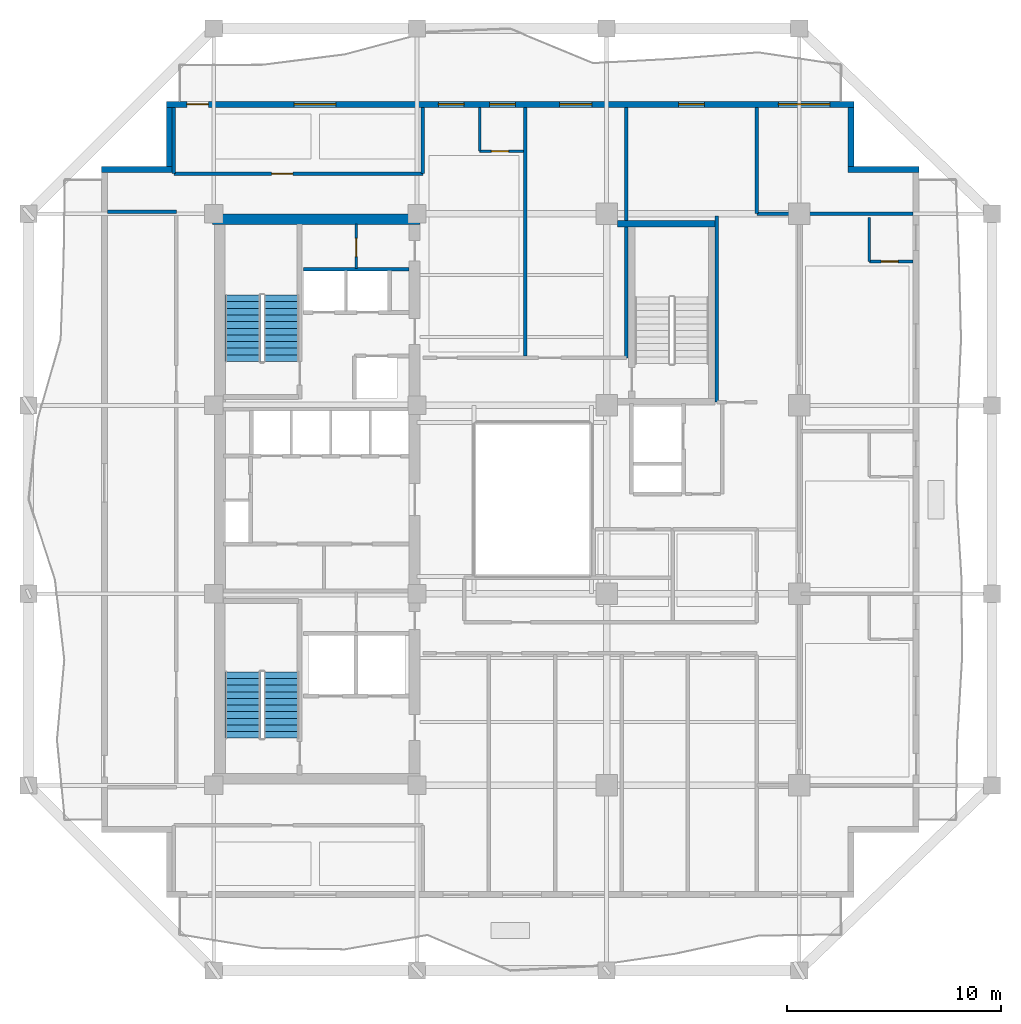
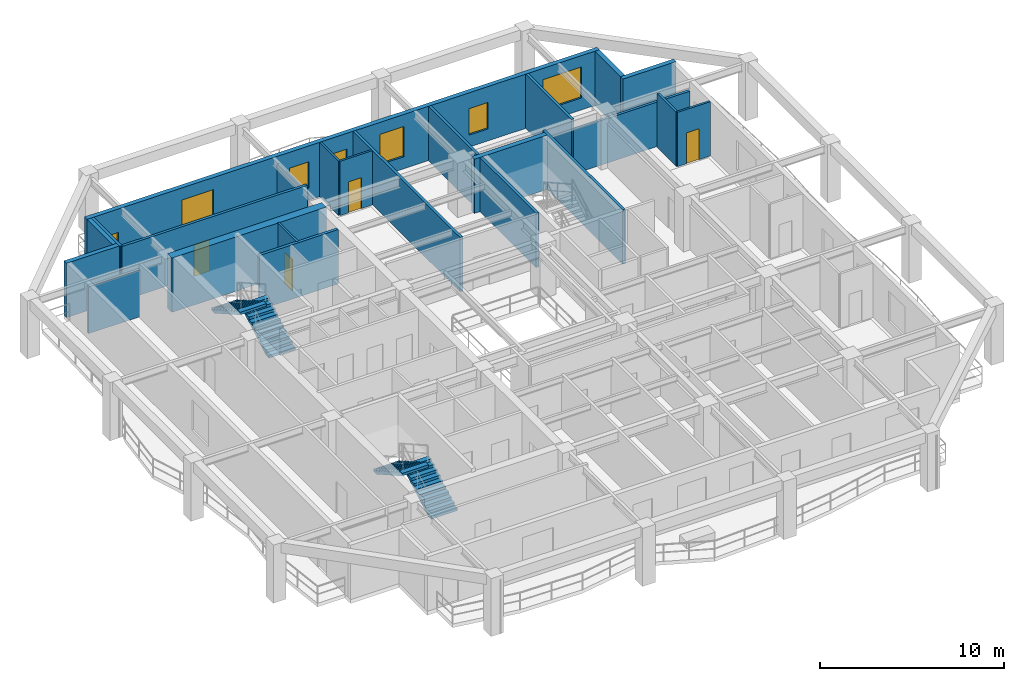
# One storey, part 6 of 11: 22 walls, 6 windows, 5 doors, 4 stair flights, 11 openings, 2 elements without a shape of their own.
"""IFC4 building model written with IfcOpenShell, lengths in metres."""

from ifc_helpers import new_model, si_unit, direction, frame, frame_2d, origin, place, context, subcontext, project, spatial, polyline, rectangle, outline, extrude, material, layer, layer_set, type_object, element, fill, aggregate, save


model = new_model("IFC4")

# Units and contexts
model_context = context("Model", 3, precision=1e-05, world=origin(), true_north=direction((0.0, 1.0)))
body_context = subcontext(model_context, "Body", "Model", "MODEL_VIEW")
ifc_project = project(units=[si_unit("LENGTHUNIT", "METRE"), si_unit("AREAUNIT", "SQUARE_METRE"), si_unit("VOLUMEUNIT", "CUBIC_METRE"), si_unit("PLANEANGLEUNIT", "RADIAN"), si_unit("MASSUNIT", "GRAM", prefix="KILO")], contexts=[model_context])

# Site, building, storey
site_placement = place(None, origin())
site = spatial("IfcSite", under=ifc_project, at=site_placement, CompositionType="ELEMENT")
building_placement = place(site_placement, origin())
building = spatial("IfcBuilding", under=site, at=building_placement, Name="Kundavana Baori Tower", CompositionType="ELEMENT")
storey_placement = place(building_placement, frame((0.0, 0.0, 142.5)))
storey = spatial("IfcBuildingStorey", under=building, at=storey_placement, Name="L34", CompositionType="ELEMENT", Elevation=142.5)

# Walls
ifc_material_1 = material(Name="Concrete C50/60", Category="concrete")
ifc_layer_1 = layer(ifc_material_1, 0.5, Name="WL-CORE-500")
ifc_layer_set_1 = layer_set([ifc_layer_1], Name="Concrete C50/60")
wall_type_1 = type_object("IfcWallType", Name="WL-CORE-500", PredefinedType="SHEAR", material=ifc_layer_set_1)
wall_1_placement = place(storey_placement, frame((15.39990234375, 41.68994140625, 0.0), z_axis=(0.0, 0.0, 1.0), x_axis=(1.0, 0.0, 0.0)))
element("IfcWall", 1, at=wall_1_placement, inside=storey, type_object=wall_type_1, Name="L34 Offset Core North Shear Wall", PredefinedType="SHEAR", context=body_context, shape_type="SweptSolid", body=[
    extrude(rectangle(XDim=9.68017578125, YDim=0.5, at=frame_2d((4.840087890625, 0.0))), origin(), (0.0, 0.0, 1.0), 3.60009765625),
])
ifc_material_2 = material(Name="Red-Buff Dholpur Sandstone Cladding on Concrete C40/50", Category="masonry")
ifc_layer_2 = layer(ifc_material_2, 0.280029296875, Name="WL-EXT-SAND-280")
ifc_layer_set_2 = layer_set([ifc_layer_2], Name="Red-Buff Dholpur Sandstone Cladding on Concrete C40/50")
wall_type_2 = type_object("IfcWallType", Name="WL-EXT-SAND-280", PredefinedType="STANDARD", material=ifc_layer_set_2)
wall_2_placement = place(storey_placement, frame((48.39990234375, 44.010009765625, 0.0), z_axis=(0.0, 0.0, 1.0), x_axis=(-1.0, 0.0, 0.0)))
element("IfcWall", 2, at=wall_2_placement, inside=storey, type_object=wall_type_2, Name="L34 Exterior Insulated Facade Wall 05", PredefinedType="STANDARD", context=body_context, shape_type="SweptSolid", body=[
    extrude(rectangle(XDim=3.329833984375, YDim=0.280029296875, at=frame_2d((1.6650390625, 0.0))), origin(), (0.0, 0.0, 1.0), 3.60009765625),
])
wall_3_placement = place(storey_placement, frame((45.2099609375, 44.14990234375, 0.0), z_axis=(0.0, 0.0, 1.0), x_axis=(0.0, 1.0, 0.0)))
element("IfcWall", 3, at=wall_3_placement, inside=storey, type_object=wall_type_2, Name="L34 Exterior Insulated Facade Wall 06", PredefinedType="STANDARD", context=body_context, shape_type="SweptSolid", body=[
    extrude(rectangle(XDim=2.77001953125, YDim=0.280029296875, at=frame_2d((1.385009765625, 0.0))), origin(), (0.0, 0.0, 1.0), 3.60009765625),
])

# Wall, openings, door, windows
wall_4_placement = place(storey_placement, frame((45.35009765625, 47.06005859375, 0.0), z_axis=(0.0, 0.0, 1.0), x_axis=(-1.0, 0.0, 0.0)))
wall_4 = element("IfcWall", 4, at=wall_4_placement, inside=storey, type_object=wall_type_2, Name="L34 Exterior Insulated Facade Wall 07", PredefinedType="STANDARD", context=body_context, shape_type="SweptSolid", body=[
    extrude(rectangle(XDim=32.10009765625, YDim=0.280029296875, at=frame_2d((16.050048828125, 0.0))), origin(), (0.0, 0.0, 1.0), 3.60009765625),
])
opening_1_placement = place(wall_4_placement, frame((30.14990234375, 0.0, 0.0)))
opening_1 = element("IfcOpeningElement", 5, at=opening_1_placement, cuts=wall_4, Name="Opening BD-1", PredefinedType="OPENING", context=body_context, shape_type="SweptSolid", body=[
    extrude(rectangle(XDim=1.0, YDim=2.050048828125, at=frame_2d((0.5, 1.02490234375))), frame((0.0, 0.14990234375, 0.0), z_axis=(0.0, -1.0, 0.0), x_axis=(1.0, 0.0, 0.0)), (0.0, 0.0, 1.0), 0.300048828125),
])
opening_2_placement = place(wall_4_placement, frame((24.195068359375, 0.0, 0.800048828125)))
opening_2 = element("IfcOpeningElement", 6, at=opening_2_placement, cuts=wall_4, Name="Opening W-09", PredefinedType="OPENING", context=body_context, shape_type="SweptSolid", body=[
    extrude(rectangle(XDim=1.949951171875, YDim=2.0, at=frame_2d((0.97509765625, 1.0))), frame((0.0, 0.14990234375, 0.0), z_axis=(0.0, -1.0, 0.0), x_axis=(1.0, 0.0, 0.0)), (0.0, 0.0, 1.0), 0.300048828125),
])
opening_3_placement = place(wall_4_placement, frame((18.205078125, 0.0, 0.800048828125)))
opening_3 = element("IfcOpeningElement", 7, at=opening_3_placement, cuts=wall_4, Name="Opening W-03", PredefinedType="OPENING", context=body_context, shape_type="SweptSolid", body=[
    extrude(rectangle(XDim=1.199951171875, YDim=1.75, at=frame_2d((0.60009765625, 0.875))), frame((0.0, 0.14990234375, 0.0), z_axis=(0.0, -1.0, 0.0), x_axis=(1.0, 0.0, 0.0)), (0.0, 0.0, 1.0), 0.300048828125),
])
opening_4_placement = place(wall_4_placement, frame((15.81494140625, 0.0, 0.800048828125)))
opening_4 = element("IfcOpeningElement", 8, at=opening_4_placement, cuts=wall_4, Name="Opening W-03", PredefinedType="OPENING", context=body_context, shape_type="SweptSolid", body=[
    extrude(rectangle(XDim=1.199951171875, YDim=1.75, at=frame_2d((0.60009765625, 0.875))), frame((0.0, 0.14990234375, 0.0), z_axis=(0.0, -1.0, 0.0), x_axis=(1.0, 0.0, 0.0)), (0.0, 0.0, 1.0), 0.300048828125),
])
opening_5_placement = place(wall_4_placement, frame((12.239990234375, 0.0, 0.800048828125)))
opening_5 = element("IfcOpeningElement", 9, at=opening_5_placement, cuts=wall_4, Name="Opening W-02", PredefinedType="OPENING", context=body_context, shape_type="SweptSolid", body=[
    extrude(rectangle(XDim=1.5, YDim=2.0, at=frame_2d((0.75, 1.0))), frame((0.0, 0.14990234375, 0.0), z_axis=(0.0, -1.0, 0.0), x_axis=(1.0, 0.0, 0.0)), (0.0, 0.0, 1.0), 0.300048828125),
])
opening_6_placement = place(wall_4_placement, frame((6.97998046875, 0.0, 0.800048828125)))
opening_6 = element("IfcOpeningElement", 10, at=opening_6_placement, cuts=wall_4, Name="Opening W-03", PredefinedType="OPENING", context=body_context, shape_type="SweptSolid", body=[
    extrude(rectangle(XDim=1.199951171875, YDim=1.75, at=frame_2d((0.60009765625, 0.875))), frame((0.0, 0.14990234375, 0.0), z_axis=(0.0, -1.0, 0.0), x_axis=(1.0, 0.0, 0.0)), (0.0, 0.0, 1.0), 0.300048828125),
])
opening_7_placement = place(wall_4_placement, frame((1.1201171875, 0.0, 0.800048828125)))
opening_7 = element("IfcOpeningElement", 11, at=opening_7_placement, cuts=wall_4, Name="Opening W-04", PredefinedType="OPENING", context=body_context, shape_type="SweptSolid", body=[
    extrude(rectangle(XDim=2.39990234375, YDim=2.050048828125, at=frame_2d((1.199951171875, 1.02490234375))), frame((0.0, 0.14990234375, 0.0), z_axis=(0.0, -1.0, 0.0), x_axis=(1.0, 0.0, 0.0)), (0.0, 0.0, 1.0), 0.300048828125),
])
ifc_material_3 = material(Name="Architectural Patinated Bronze Metalwork")
door_type_1 = type_object("IfcDoorType", Name="DR-EXT-LOG-1000", OperationType="NOTDEFINED", PredefinedType="DOOR", material=ifc_material_3)
door_1_placement = place(opening_1_placement, frame((1.0, 0.0, 0.0), z_axis=(0.0, 0.0, 1.0), x_axis=(-1.0, 0.0, 0.0)))
door_1 = element("IfcDoor", 12, at=door_1_placement, inside=storey, type_object=door_type_1, Name="L34 Loggia Balcony Access Door N", OperationType="SINGLE_SWING_LEFT", OverallHeight=2.050048828125, OverallWidth=1.0, PredefinedType="DOOR", context=body_context, shape_type="SweptSolid", body=[
    extrude(rectangle(XDim=1.0, YDim=2.050048828125, at=frame_2d((0.5, 1.02490234375))), frame((0.0, 0.02490234375, 0.0), z_axis=(0.0, -1.0, 0.0), x_axis=(1.0, 0.0, 0.0)), (0.0, 0.0, 1.0), 0.050048828125),
])
fill(opening_1, door_1)
ifc_material_4 = material(Name="Double-Glazed Solar-Control Low-E Insulated Glass", Category="glass")
window_type_1 = type_object("IfcWindowType", Name="WIN-LOG-1200x1750", PartitioningType="SINGLE_PANEL", PredefinedType="WINDOW", material=ifc_material_4)
window_1_placement = place(opening_3_placement, origin())
window_1 = element("IfcWindow", 13, at=window_1_placement, inside=storey, type_object=window_type_1, Name="L34 Recessed Loggia Window N-2", OverallHeight=1.75, OverallWidth=1.199951171875, PartitioningType="SINGLE_PANEL", PredefinedType="WINDOW", context=body_context, shape_type="SweptSolid", body=[
    extrude(rectangle(XDim=1.199951171875, YDim=1.75, at=frame_2d((0.60009765625, 0.875))), frame((0.0, 0.030029296875, 0.0), z_axis=(0.0, -1.0, 0.0), x_axis=(1.0, 0.0, 0.0)), (0.0, 0.0, 1.0), 0.06005859375),
])
fill(opening_3, window_1)
window_2_placement = place(opening_4_placement, origin())
window_2 = element("IfcWindow", 14, at=window_2_placement, inside=storey, type_object=window_type_1, Name="L34 Recessed Loggia Window N-3", OverallHeight=1.75, OverallWidth=1.199951171875, PartitioningType="SINGLE_PANEL", PredefinedType="WINDOW", context=body_context, shape_type="SweptSolid", body=[
    extrude(rectangle(XDim=1.199951171875, YDim=1.75, at=frame_2d((0.60009765625, 0.875))), frame((0.0, 0.030029296875, 0.0), z_axis=(0.0, -1.0, 0.0), x_axis=(1.0, 0.0, 0.0)), (0.0, 0.0, 1.0), 0.06005859375),
])
fill(opening_4, window_2)
window_3_placement = place(opening_6_placement, origin())
window_3 = element("IfcWindow", 15, at=window_3_placement, inside=storey, type_object=window_type_1, Name="L34 Recessed Loggia Window N-5", OverallHeight=1.75, OverallWidth=1.199951171875, PartitioningType="SINGLE_PANEL", PredefinedType="WINDOW", context=body_context, shape_type="SweptSolid", body=[
    extrude(rectangle(XDim=1.199951171875, YDim=1.75, at=frame_2d((0.60009765625, 0.875))), frame((0.0, 0.030029296875, 0.0), z_axis=(0.0, -1.0, 0.0), x_axis=(1.0, 0.0, 0.0)), (0.0, 0.0, 1.0), 0.06005859375),
])
fill(opening_6, window_3)
ifc_material_5 = material(Name="Double-Glazed Solar-Control Low-E Insulated Glass", Category="glass")
window_type_2 = type_object("IfcWindowType", Name="WIN-LOG-1500x2000", PartitioningType="SINGLE_PANEL", PredefinedType="WINDOW", material=ifc_material_5)
window_4_placement = place(opening_5_placement, origin())
window_4 = element("IfcWindow", 16, at=window_4_placement, inside=storey, type_object=window_type_2, Name="L34 Recessed Loggia Window N-4", OverallHeight=2.0, OverallWidth=1.5, PartitioningType="SINGLE_PANEL", PredefinedType="WINDOW", context=body_context, shape_type="SweptSolid", body=[
    extrude(rectangle(XDim=1.5, YDim=2.0, at=frame_2d((0.75, 1.0))), frame((0.0, 0.030029296875, 0.0), z_axis=(0.0, -1.0, 0.0), x_axis=(1.0, 0.0, 0.0)), (0.0, 0.0, 1.0), 0.06005859375),
])
fill(opening_5, window_4)
ifc_material_6 = material(Name="Double-Glazed Solar-Control Low-E Insulated Glass", Category="glass")
window_type_3 = type_object("IfcWindowType", Name="WIN-LOG-1950x2000", PartitioningType="SINGLE_PANEL", PredefinedType="WINDOW", material=ifc_material_6)
window_5_placement = place(opening_2_placement, origin())
window_5 = element("IfcWindow", 17, at=window_5_placement, inside=storey, type_object=window_type_3, Name="L34 Recessed Loggia Window N-1", OverallHeight=2.0, OverallWidth=1.949951171875, PartitioningType="SINGLE_PANEL", PredefinedType="WINDOW", context=body_context, shape_type="SweptSolid", body=[
    extrude(rectangle(XDim=1.949951171875, YDim=2.0, at=frame_2d((0.97509765625, 1.0))), frame((0.0, 0.030029296875, 0.0), z_axis=(0.0, -1.0, 0.0), x_axis=(1.0, 0.0, 0.0)), (0.0, 0.0, 1.0), 0.06005859375),
])
fill(opening_2, window_5)
ifc_material_7 = material(Name="Double-Glazed Solar-Control Low-E Insulated Glass", Category="glass")
window_type_4 = type_object("IfcWindowType", Name="WIN-LOG-2400x2050", PartitioningType="SINGLE_PANEL", PredefinedType="WINDOW", material=ifc_material_7)
window_6_placement = place(opening_7_placement, origin())
window_6 = element("IfcWindow", 18, at=window_6_placement, inside=storey, type_object=window_type_4, Name="L34 Recessed Loggia Window N-6", OverallHeight=2.050048828125, OverallWidth=2.39990234375, PartitioningType="SINGLE_PANEL", PredefinedType="WINDOW", context=body_context, shape_type="SweptSolid", body=[
    extrude(rectangle(XDim=2.39990234375, YDim=2.050048828125, at=frame_2d((1.199951171875, 1.02490234375))), frame((0.0, 0.030029296875, 0.0), z_axis=(0.0, -1.0, 0.0), x_axis=(1.0, 0.0, 0.0)), (0.0, 0.0, 1.0), 0.06005859375),
])
fill(opening_7, window_6)

# Walls
wall_5_placement = place(storey_placement, frame((13.389892578125, 46.919921875, 0.0), z_axis=(0.0, 0.0, 1.0), x_axis=(0.0, -1.0, 0.0)))
element("IfcWall", 19, at=wall_5_placement, inside=storey, type_object=wall_type_2, Name="L34 Exterior Insulated Facade Wall 08", PredefinedType="STANDARD", context=body_context, shape_type="SweptSolid", body=[
    extrude(rectangle(XDim=2.77001953125, YDim=0.280029296875, at=frame_2d((1.385009765625, 0.0))), origin(), (0.0, 0.0, 1.0), 3.60009765625),
])
wall_6_placement = place(storey_placement, frame((13.530029296875, 44.010009765625, 0.0), z_axis=(0.0, 0.0, 1.0), x_axis=(-1.0, 0.0, 0.0)))
element("IfcWall", 20, at=wall_6_placement, inside=storey, type_object=wall_type_2, Name="L34 Exterior Insulated Facade Wall 09", PredefinedType="STANDARD", context=body_context, shape_type="SweptSolid", body=[
    extrude(rectangle(XDim=3.330078125, YDim=0.280029296875, at=frame_2d((1.6650390625, 0.0))), origin(), (0.0, 0.0, 1.0), 3.60009765625),
])

# Wall, opening, door
ifc_material_8 = material(Name="Acoustic Gypsum Plasterboard on Galvanised Steel Studs", Category="steel")
ifc_layer_3 = layer(ifc_material_8, 0.1201171875, Name="WL-PART-120")
ifc_layer_set_3 = layer_set([ifc_layer_3], Name="Acoustic Gypsum Plasterboard on Galvanised Steel Studs")
wall_type_3 = type_object("IfcWallType", Name="WL-PART-120", PredefinedType="PARTITIONING", material=ifc_layer_set_3)
wall_7_placement = place(storey_placement, frame((22.10009765625, 39.39990234375, 0.0), z_axis=(0.0, 0.0, 1.0), x_axis=(0.0, 1.0, 0.0)))
wall_7 = element("IfcWall", 21, at=wall_7_placement, inside=storey, type_object=wall_type_3, Name="WL-L34-CSRV-D1", PredefinedType="PARTITIONING", context=body_context, shape_type="SweptSolid", body=[
    extrude(rectangle(XDim=2.080078125, YDim=0.1201171875, at=frame_2d((1.0400390625, 0.0))), origin(), (0.0, 0.0, 1.0), 3.60009765625),
])
opening_8_placement = place(wall_7_placement, frame((0.550048828125, 0.0, 0.0)))
opening_8 = element("IfcOpeningElement", 22, at=opening_8_placement, cuts=wall_7, Name="Opening FD-085", PredefinedType="OPENING", context=body_context, shape_type="SweptSolid", body=[
    extrude(rectangle(XDim=0.85009765625, YDim=2.06005859375, at=frame_2d((0.425048828125, 1.030029296875))), frame((0.0, 0.070068359375, 0.0), z_axis=(0.0, -1.0, 0.0), x_axis=(1.0, 0.0, 0.0)), (0.0, 0.0, 1.0), 0.14013671875),
])
ifc_material_9 = material(Name="Galvanised Steel Fire-Rated Door Leaf", Category="steel")
door_type_2 = type_object("IfcDoorType", Name="DR-FD60-850", OperationType="NOTDEFINED", PredefinedType="DOOR", material=ifc_material_9)
door_2_placement = place(opening_8_placement, origin())
door_2 = element("IfcDoor", 23, at=door_2_placement, inside=storey, type_object=door_type_2, Name="DR-L34-CSRV1", OperationType="SINGLE_SWING_LEFT", OverallHeight=2.06005859375, OverallWidth=0.85009765625, PredefinedType="DOOR", context=body_context, shape_type="SweptSolid", body=[
    extrude(rectangle(XDim=0.85009765625, YDim=2.06005859375, at=frame_2d((0.425048828125, 1.030029296875))), frame((0.0, 0.02490234375, 0.0), z_axis=(0.0, -1.0, 0.0), x_axis=(1.0, 0.0, 0.0)), (0.0, 0.0, 1.0), 0.050048828125),
])
fill(opening_8, door_2)

# Walls
ifc_material_10 = material(Name="Fire-Rated Gypsum Drywall on Galvanised Steel Studs", Category="steel")
ifc_layer_4 = layer(ifc_material_10, 0.1650390625, Name="WL-PART-165")
ifc_layer_set_4 = layer_set([ifc_layer_4], Name="Fire-Rated Gypsum Drywall on Galvanised Steel Studs")
wall_type_4 = type_object("IfcWallType", Name="WL-PART-165", PredefinedType="PARTITIONING", material=ifc_layer_set_4)
wall_8_placement = place(storey_placement, frame((40.820068359375, 41.949951171875, 0.0), z_axis=(0.0, 0.0, 1.0), x_axis=(1.0, 0.0, 0.0)))
element("IfcWall", 24, at=wall_8_placement, inside=storey, type_object=wall_type_4, Name="WL-L34-HEN", PredefinedType="PARTITIONING", context=body_context, shape_type="SweptSolid", body=[
    extrude(rectangle(XDim=7.300048828125, YDim=0.1650390625, at=frame_2d((3.64990234375, 0.0))), origin(), (0.0, 0.0, 1.0), 2.949951171875),
])
wall_9_placement = place(storey_placement, frame((10.47998046875, 42.0400390625, 0.0), z_axis=(0.0, 0.0, 1.0), x_axis=(1.0, 0.0, 0.0)))
element("IfcWall", 25, at=wall_9_placement, inside=storey, type_object=wall_type_4, Name="WL-L34-HWN", PredefinedType="PARTITIONING", context=body_context, shape_type="SweptSolid", body=[
    extrude(rectangle(XDim=3.219970703125, YDim=0.1650390625, at=frame_2d((1.60986328125, 0.0))), origin(), (0.0, 0.0, 1.0), 3.10009765625),
])

# Wall, opening, door
wall_10_placement = place(storey_placement, frame((13.590087890625, 43.820068359375, 0.0), z_axis=(0.0, 0.0, 1.0), x_axis=(1.0, 0.0, 0.0)))
wall_10 = element("IfcWall", 26, at=wall_10_placement, inside=storey, type_object=wall_type_4, Name="WL-L34-HNC", PredefinedType="PARTITIONING", context=body_context, shape_type="SweptSolid", body=[
    extrude(rectangle(XDim=11.6298828125, YDim=0.1650390625, at=frame_2d((5.81494140625, 0.0))), origin(), (0.0, 0.0, 1.0), 3.60009765625),
])
opening_9_placement = place(wall_10_placement, frame((4.56005859375, 0.0, 0.0)))
opening_9 = element("IfcOpeningElement", 27, at=opening_9_placement, cuts=wall_10, Name="Opening ID-100", PredefinedType="OPENING", context=body_context, shape_type="SweptSolid", body=[
    extrude(rectangle(XDim=1.0, YDim=2.080078125, at=frame_2d((0.5, 1.0400390625))), frame((0.0, 0.092529296875, 0.0), z_axis=(0.0, -1.0, 0.0), x_axis=(1.0, 0.0, 0.0)), (0.0, 0.0, 1.0), 0.18505859375),
])
ifc_material_11 = material(Name="Engineered Teak Solid-Core Timber Veneer", Category="wood")
door_type_3 = type_object("IfcDoorType", Name="DR-INT-1000", OperationType="NOTDEFINED", PredefinedType="DOOR", material=ifc_material_11)
door_3_placement = place(opening_9_placement, origin())
door_3 = element("IfcDoor", 28, at=door_3_placement, inside=storey, type_object=door_type_3, Name="DR-L34-HMNW", OperationType="SINGLE_SWING_RIGHT", OverallHeight=2.080078125, OverallWidth=1.0, PredefinedType="DOOR", context=body_context, shape_type="SweptSolid", body=[
    extrude(rectangle(XDim=1.0, YDim=2.080078125, at=frame_2d((0.5, 1.0400390625))), frame((0.0, 0.02490234375, 0.0), z_axis=(0.0, -1.0, 0.0), x_axis=(1.0, 0.0, 0.0)), (0.0, 0.0, 1.0), 0.050048828125),
])
fill(opening_9, door_3)

# Walls
wall_11_placement = place(storey_placement, frame((13.590087890625, 43.820068359375, 0.0), z_axis=(0.0, 0.0, 1.0), x_axis=(0.0, 1.0, 0.0)))
element("IfcWall", 29, at=wall_11_placement, inside=storey, type_object=wall_type_4, Name="WL-L34-HNCW", PredefinedType="PARTITIONING", context=body_context, shape_type="SweptSolid", body=[
    extrude(rectangle(XDim=3.099853515625, YDim=0.1650390625, at=frame_2d((1.5498046875, 0.0))), origin(), (0.0, 0.0, 1.0), 3.60009765625),
])
wall_12_placement = place(storey_placement, frame((25.219970703125, 43.820068359375, 0.0), z_axis=(0.0, 0.0, 1.0), x_axis=(0.0, 1.0, 0.0)))
element("IfcWall", 30, at=wall_12_placement, inside=storey, type_object=wall_type_4, Name="WL-L34-HNCE", PredefinedType="PARTITIONING", context=body_context, shape_type="SweptSolid", body=[
    extrude(rectangle(XDim=3.099853515625, YDim=0.1650390625, at=frame_2d((1.5498046875, 0.0))), origin(), (0.0, 0.0, 1.0), 3.10009765625),
])
wall_13_placement = place(storey_placement, frame((34.719970703125, 35.219970703125, 0.0), z_axis=(0.0, 0.0, 1.0), x_axis=(0.0, 1.0, 0.0)))
element("IfcWall", 31, at=wall_13_placement, inside=storey, type_object=wall_type_4, Name="WL-L34-HNEND", PredefinedType="PARTITIONING", context=body_context, shape_type="SweptSolid", body=[
    extrude(rectangle(XDim=11.699951171875, YDim=0.1650390625, at=frame_2d((5.85009765625, 0.0))), origin(), (0.0, 0.0, 1.0), 3.60009765625),
])
wall_14_placement = place(storey_placement, frame((30.0, 35.300048828125, 0.0), z_axis=(0.0, 0.0, 1.0), x_axis=(0.0, 1.0, 0.0)))
element("IfcWall", 32, at=wall_14_placement, inside=storey, type_object=wall_type_4, Name="WL-L34-HND1", PredefinedType="PARTITIONING", context=body_context, shape_type="SweptSolid", body=[
    extrude(rectangle(XDim=11.619873046875, YDim=0.1650390625, at=frame_2d((5.81005859375, 0.0))), origin(), (0.0, 0.0, 1.0), 3.60009765625),
])
wall_15_placement = place(storey_placement, frame((38.949951171875, 33.14990234375, 0.0), z_axis=(0.0, 0.0, 1.0), x_axis=(0.0, 1.0, 0.0)))
element("IfcWall", 33, at=wall_15_placement, inside=storey, type_object=wall_type_4, Name="WL-L34-HNEW", PredefinedType="PARTITIONING", context=body_context, shape_type="SweptSolid", body=[
    extrude(rectangle(XDim=8.7001953125, YDim=0.1650390625, at=frame_2d((4.35009765625, 0.0))), origin(), (0.0, 0.0, 1.0), 3.60009765625),
])
wall_16_placement = place(storey_placement, frame((40.820068359375, 41.949951171875, 0.0), z_axis=(0.0, 0.0, 1.0), x_axis=(0.0, 1.0, 0.0)))
element("IfcWall", 34, at=wall_16_placement, inside=storey, type_object=wall_type_4, Name="WL-L34-HNEE", PredefinedType="PARTITIONING", context=body_context, shape_type="SweptSolid", body=[
    extrude(rectangle(XDim=4.969970703125, YDim=0.1650390625, at=frame_2d((2.48486328125, 0.0))), origin(), (0.0, 0.0, 1.0), 3.60009765625),
])
ifc_material_12 = material(Name="Autoclaved Aerated Concrete Blockwork Masonry", Category="masonry")
ifc_layer_5 = layer(ifc_material_12, 0.179931640625, Name="WL-SHAFT-180")
ifc_layer_set_5 = layer_set([ifc_layer_5], Name="Autoclaved Aerated Concrete Blockwork Masonry")
wall_type_5 = type_object("IfcWallType", Name="WL-SHAFT-180", PredefinedType="SOLIDWALL", material=ifc_layer_set_5)
wall_17_placement = place(storey_placement, frame((19.639892578125, 39.360107421875, 0.0), z_axis=(0.0, 0.0, 1.0), x_axis=(1.0, 0.0, 0.0)))
element("IfcWall", 35, at=wall_17_placement, inside=storey, type_object=wall_type_5, Name="WL-L34-HRLOB-TOP", PredefinedType="SOLIDWALL", context=body_context, shape_type="SweptSolid", body=[
    extrude(rectangle(XDim=4.940185546875, YDim=0.179931640625, at=frame_2d((2.47021484375, 0.0))), origin(), (0.0, 0.0, 1.0), 3.60009765625),
])
ifc_material_13 = material(Name="Concrete C50/60", Category="concrete")
ifc_layer_6 = layer(ifc_material_13, 0.300048828125, Name="WL-ST3-300")
ifc_layer_set_6 = layer_set([ifc_layer_6], Name="Concrete C50/60")
wall_type_6 = type_object("IfcWallType", Name="WL-ST3-300", PredefinedType="SHEAR", material=ifc_layer_set_6)
wall_18_placement = place(storey_placement, frame((34.300048828125, 41.489990234375, 0.0), z_axis=(0.0, 0.0, 1.0), x_axis=(1.0, 0.0, 0.0)))
element("IfcWall", 36, at=wall_18_placement, inside=storey, type_object=wall_type_6, Name="L34 Stair ST3 North Shear Wall", PredefinedType="SHEAR", context=body_context, shape_type="SweptSolid", body=[
    extrude(rectangle(XDim=4.570068359375, YDim=0.300048828125, at=frame_2d((2.28515625, 0.0))), origin(), (0.0, 0.0, 1.0), 3.60009765625),
])
ifc_material_14 = material(Name="Autoclaved Aerated Concrete Blockwork Masonry", Category="masonry")
ifc_layer_7 = layer(ifc_material_14, 0.125, Name="WL-WET-120")
ifc_layer_set_7 = layer_set([ifc_layer_7], Name="Autoclaved Aerated Concrete Blockwork Masonry")
wall_type_7 = type_object("IfcWallType", Name="WL-WET-120", PredefinedType="PLUMBINGWALL", material=ifc_layer_set_7)
wall_19_placement = place(storey_placement, frame((46.070068359375, 39.719970703125, 0.0), z_axis=(0.0, 0.0, 1.0), x_axis=(0.0, 1.0, 0.0)))
element("IfcWall", 37, at=wall_19_placement, inside=storey, type_object=wall_type_7, Name="WL-L34-HK-E3-BW", PredefinedType="PLUMBINGWALL", context=body_context, shape_type="SweptSolid", body=[
    extrude(rectangle(XDim=2.050048828125, YDim=0.125, at=frame_2d((1.02490234375, 0.0))), origin(), (0.0, 0.0, 1.0), 3.60009765625),
])

# Wall, opening, door
wall_20_placement = place(storey_placement, frame((46.070068359375, 39.719970703125, 0.0), z_axis=(0.0, 0.0, 1.0), x_axis=(1.0, 0.0, 0.0)))
wall_20 = element("IfcWall", 38, at=wall_20_placement, inside=storey, type_object=wall_type_7, Name="WL-L34-HK-E3-BS", PredefinedType="PLUMBINGWALL", context=body_context, shape_type="SweptSolid", body=[
    extrude(rectangle(XDim=2.050048828125, YDim=0.125, at=frame_2d((1.02490234375, 0.0))), origin(), (0.0, 0.0, 1.0), 3.60009765625),
])
opening_10_placement = place(wall_20_placement, frame((0.550048828125, 0.0, 0.0)))
opening_10 = element("IfcOpeningElement", 39, at=opening_10_placement, cuts=wall_20, Name="Opening WD-080", PredefinedType="OPENING", context=body_context, shape_type="SweptSolid", body=[
    extrude(rectangle(XDim=0.800048828125, YDim=2.050048828125, at=frame_2d((0.39990234375, 1.02490234375))), frame((0.0, 0.072509765625, 0.0), z_axis=(0.0, -1.0, 0.0), x_axis=(1.0, 0.0, 0.0)), (0.0, 0.0, 1.0), 0.14501953125),
])
ifc_material_15 = material(Name="Engineered Teak Solid-Core Timber Veneer", Category="wood")
door_type_4 = type_object("IfcDoorType", Name="DR-WET-800", OperationType="NOTDEFINED", PredefinedType="DOOR", material=ifc_material_15)
door_4_placement = place(opening_10_placement, frame((0.800048828125, 0.0, 0.0), z_axis=(0.0, 0.0, 1.0), x_axis=(-1.0, 0.0, 0.0)))
door_4 = element("IfcDoor", 40, at=door_4_placement, inside=storey, type_object=door_type_4, Name="DR-L34-HK-E3-ENS", OperationType="SINGLE_SWING_LEFT", OverallHeight=2.050048828125, OverallWidth=0.800048828125, PredefinedType="DOOR", context=body_context, shape_type="SweptSolid", body=[
    extrude(rectangle(XDim=0.800048828125, YDim=2.050048828125, at=frame_2d((0.39990234375, 1.02490234375))), frame((0.0, 0.02490234375, 0.0), z_axis=(0.0, -1.0, 0.0), x_axis=(1.0, 0.0, 0.0)), (0.0, 0.0, 1.0), 0.050048828125),
])
fill(opening_10, door_4)

# Wall
wall_21_placement = place(storey_placement, frame((27.8701171875, 44.8701171875, 0.0), z_axis=(0.0, 0.0, 1.0), x_axis=(0.0, 1.0, 0.0)))
element("IfcWall", 41, at=wall_21_placement, inside=storey, type_object=wall_type_7, Name="WL-L34-HK-N1-BW", PredefinedType="PLUMBINGWALL", context=body_context, shape_type="SweptSolid", body=[
    extrude(rectangle(XDim=2.0498046875, YDim=0.125, at=frame_2d((1.02490234375, 0.0))), origin(), (0.0, 0.0, 1.0), 3.60009765625),
])

# Wall, opening, door
wall_22_placement = place(storey_placement, frame((27.8701171875, 44.8701171875, 0.0), z_axis=(0.0, 0.0, 1.0), x_axis=(1.0, 0.0, 0.0)))
wall_22 = element("IfcWall", 42, at=wall_22_placement, inside=storey, type_object=wall_type_7, Name="WL-L34-HK-N1-BS", PredefinedType="PLUMBINGWALL", context=body_context, shape_type="SweptSolid", body=[
    extrude(rectangle(XDim=2.0498046875, YDim=0.125, at=frame_2d((1.02490234375, 0.0))), origin(), (0.0, 0.0, 1.0), 3.60009765625),
])
opening_11_placement = place(wall_22_placement, frame((0.550048828125, 0.0, 0.0)))
opening_11 = element("IfcOpeningElement", 43, at=opening_11_placement, cuts=wall_22, Name="Opening WD-080", PredefinedType="OPENING", context=body_context, shape_type="SweptSolid", body=[
    extrude(rectangle(XDim=0.800048828125, YDim=2.050048828125, at=frame_2d((0.39990234375, 1.02490234375))), frame((0.0, 0.072509765625, 0.0), z_axis=(0.0, -1.0, 0.0), x_axis=(1.0, 0.0, 0.0)), (0.0, 0.0, 1.0), 0.14501953125),
])
door_5_placement = place(opening_11_placement, frame((0.800048828125, 0.0, 0.0), z_axis=(0.0, 0.0, 1.0), x_axis=(-1.0, 0.0, 0.0)))
door_5 = element("IfcDoor", 44, at=door_5_placement, inside=storey, type_object=door_type_4, Name="DR-L34-HK-N1-ENS", OperationType="SINGLE_SWING_LEFT", OverallHeight=2.050048828125, OverallWidth=0.800048828125, PredefinedType="DOOR", context=body_context, shape_type="SweptSolid", body=[
    extrude(rectangle(XDim=0.800048828125, YDim=2.050048828125, at=frame_2d((0.39990234375, 1.02490234375))), frame((0.0, 0.02490234375, 0.0), z_axis=(0.0, -1.0, 0.0), x_axis=(1.0, 0.0, 0.0)), (0.0, 0.0, 1.0), 0.050048828125),
])
fill(opening_11, door_5)

# Stair, stair flights
ifc_material_16 = material(Name="Concrete C40/50", Category="concrete")
stair_type = type_object("IfcStairType", Name="STR-DOG-1650", PredefinedType="HALF_TURN_STAIR", material=ifc_material_16)
stair_1_placement = place(storey_placement, origin())
stair_1 = element("IfcStair", 45, at=stair_1_placement, inside=storey, type_object=stair_type, Name="L34 Protected Exit Stair ST1", PredefinedType="HALF_TURN_STAIR")
ifc_material_17 = material(Name="Concrete C40/50", Category="concrete")
stair_flight_type = type_object("IfcStairFlightType", Name="SFL-RC-1650", PredefinedType="STRAIGHT", material=ifc_material_17)
stair_flight_1_placement = place(storey_placement, frame((18.614990234375, 17.449951171875, 0.0), z_axis=(0.0, 0.0, 1.0), x_axis=(0.0, 1.0, 0.0)))
stair_flight_1 = element("IfcStairFlight", 46, at=stair_flight_1_placement, type_object=stair_flight_type, Name="ST1 flight 1", NumberOfRisers=11, NumberOfTreads=10, PredefinedType="STRAIGHT", RiserHeight=0.175, TreadLength=0.31, context=body_context, shape_type="SweptSolid", body=[
    extrude(outline(polyline([(0.0, 0.0), (0.0, 0.175048828125), (0.31005859375, 0.175048828125), (0.31005859375, 0.35009765625), (0.6201171875, 0.35009765625), (0.6201171875, 0.52490234375), (0.929931640625, 0.52490234375), (0.929931640625, 0.699951171875), (1.239990234375, 0.699951171875), (1.239990234375, 0.875), (1.550048828125, 0.875), (1.550048828125, 1.050048828125), (1.860107421875, 1.050048828125), (1.860107421875, 1.22509765625), (2.169921875, 1.22509765625), (2.169921875, 1.39990234375), (2.47998046875, 1.39990234375), (2.47998046875, 1.574951171875), (2.7900390625, 1.574951171875), (2.7900390625, 1.75), (3.10009765625, 1.75), (3.10009765625, 1.925048828125), (3.10009765625, 1.577880859375), (0.304931640625, 0.0), (0.0, 0.0)])), frame((0.0, 0.824951171875, 0.0), z_axis=(0.0, -1.0, 0.0), x_axis=(1.0, 0.0, 0.0)), (0.0, 0.0, 1.0), 1.64990234375),
])
stair_flight_2_placement = place(storey_placement, frame((16.804931640625, 20.550048828125, 1.925048828125), z_axis=(0.0, 0.0, 1.0), x_axis=(0.0, -1.0, 0.0)))
stair_flight_2 = element("IfcStairFlight", 47, at=stair_flight_2_placement, type_object=stair_flight_type, Name="ST1 flight 2", NumberOfRisers=11, NumberOfTreads=10, PredefinedType="STRAIGHT", RiserHeight=0.175, TreadLength=0.31, context=body_context, shape_type="SweptSolid", body=[
    extrude(outline(polyline([(0.0, 0.0), (0.0, 0.175048828125), (0.31005859375, 0.175048828125), (0.31005859375, 0.35009765625), (0.6201171875, 0.35009765625), (0.6201171875, 0.52490234375), (0.929931640625, 0.52490234375), (0.929931640625, 0.699951171875), (1.239990234375, 0.699951171875), (1.239990234375, 0.875), (1.550048828125, 0.875), (1.550048828125, 1.050048828125), (1.860107421875, 1.050048828125), (1.860107421875, 1.22509765625), (2.169921875, 1.22509765625), (2.169921875, 1.39990234375), (2.47998046875, 1.39990234375), (2.47998046875, 1.574951171875), (2.7900390625, 1.574951171875), (2.7900390625, 1.75), (3.10009765625, 1.75), (3.10009765625, 1.925048828125), (3.10009765625, 1.577880859375), (0.304931640625, 0.0), (0.0, 0.0)])), frame((0.0, 0.824951171875, 0.0), z_axis=(0.0, -1.0, 0.0), x_axis=(1.0, 0.0, 0.0)), (0.0, 0.0, 1.0), 1.64990234375),
])
aggregate(stair_1, [stair_flight_1, stair_flight_2])

stair_2_placement = place(storey_placement, origin())
stair_2 = element("IfcStair", 48, at=stair_2_placement, inside=storey, type_object=stair_type, Name="L34 Protected Exit Stair ST2", PredefinedType="HALF_TURN_STAIR")
stair_flight_3_placement = place(storey_placement, frame((18.614990234375, 35.050048828125, 0.0), z_axis=(0.0, 0.0, 1.0), x_axis=(0.0, 1.0, 0.0)))
stair_flight_3 = element("IfcStairFlight", 49, at=stair_flight_3_placement, type_object=stair_flight_type, Name="ST2 flight 1", NumberOfRisers=11, NumberOfTreads=10, PredefinedType="STRAIGHT", RiserHeight=0.175, TreadLength=0.31, context=body_context, shape_type="SweptSolid", body=[
    extrude(outline(polyline([(0.0, 0.0), (0.0, 0.175048828125), (0.31005859375, 0.175048828125), (0.31005859375, 0.35009765625), (0.6201171875, 0.35009765625), (0.6201171875, 0.52490234375), (0.929931640625, 0.52490234375), (0.929931640625, 0.699951171875), (1.239990234375, 0.699951171875), (1.239990234375, 0.875), (1.550048828125, 0.875), (1.550048828125, 1.050048828125), (1.860107421875, 1.050048828125), (1.860107421875, 1.22509765625), (2.169921875, 1.22509765625), (2.169921875, 1.39990234375), (2.47998046875, 1.39990234375), (2.47998046875, 1.574951171875), (2.7900390625, 1.574951171875), (2.7900390625, 1.75), (3.10009765625, 1.75), (3.10009765625, 1.925048828125), (3.10009765625, 1.577880859375), (0.304931640625, 0.0), (0.0, 0.0)])), frame((0.0, 0.824951171875, 0.0), z_axis=(0.0, -1.0, 0.0), x_axis=(1.0, 0.0, 0.0)), (0.0, 0.0, 1.0), 1.64990234375),
])
stair_flight_4_placement = place(storey_placement, frame((16.804931640625, 38.14990234375, 1.925048828125), z_axis=(0.0, 0.0, 1.0), x_axis=(0.0, -1.0, 0.0)))
stair_flight_4 = element("IfcStairFlight", 50, at=stair_flight_4_placement, type_object=stair_flight_type, Name="ST2 flight 2", NumberOfRisers=11, NumberOfTreads=10, PredefinedType="STRAIGHT", RiserHeight=0.175, TreadLength=0.31, context=body_context, shape_type="SweptSolid", body=[
    extrude(outline(polyline([(0.0, 0.0), (0.0, 0.175048828125), (0.31005859375, 0.175048828125), (0.31005859375, 0.35009765625), (0.6201171875, 0.35009765625), (0.6201171875, 0.52490234375), (0.929931640625, 0.52490234375), (0.929931640625, 0.699951171875), (1.239990234375, 0.699951171875), (1.239990234375, 0.875), (1.550048828125, 0.875), (1.550048828125, 1.050048828125), (1.860107421875, 1.050048828125), (1.860107421875, 1.22509765625), (2.169921875, 1.22509765625), (2.169921875, 1.39990234375), (2.47998046875, 1.39990234375), (2.47998046875, 1.574951171875), (2.7900390625, 1.574951171875), (2.7900390625, 1.75), (3.10009765625, 1.75), (3.10009765625, 1.925048828125), (3.10009765625, 1.577880859375), (0.304931640625, 0.0), (0.0, 0.0)])), frame((0.0, 0.824951171875, 0.0), z_axis=(0.0, -1.0, 0.0), x_axis=(1.0, 0.0, 0.0)), (0.0, 0.0, 1.0), 1.64990234375),
])
aggregate(stair_2, [stair_flight_3, stair_flight_4])

save(model, "model.ifc")
